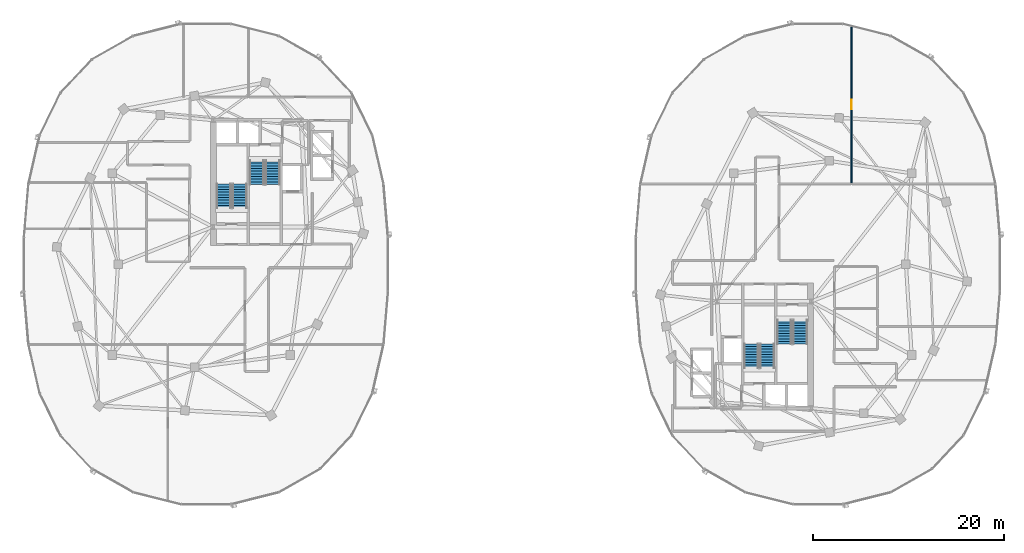
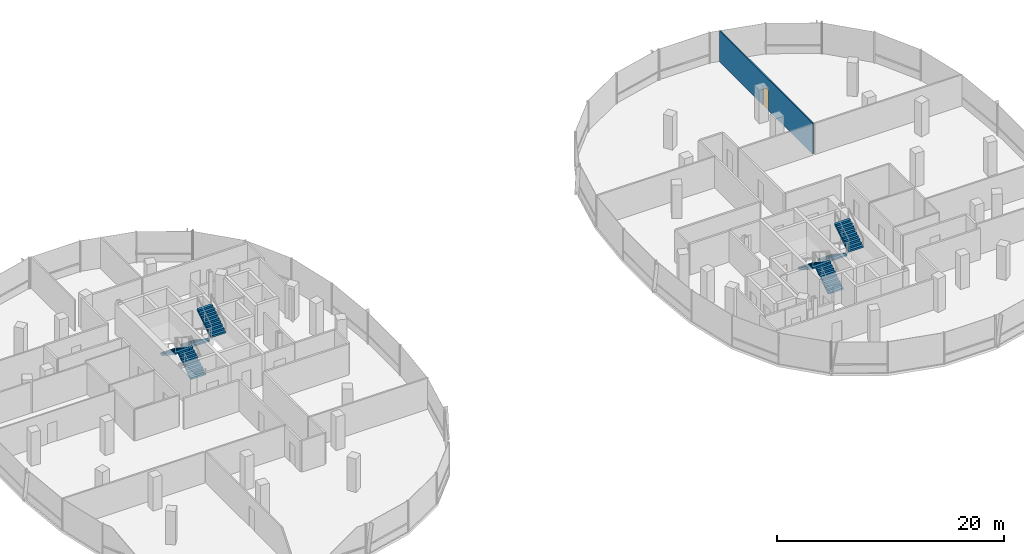
# One storey, part 18 of 25: 8 stair flights, 1 door, 1 wall, 1 opening, 4 elements without a shape of their own.
"""IFC4 building model written with IfcOpenShell, lengths in metres."""

from ifc_helpers import new_model, si_unit, direction, frame, frame_2d, origin, place, context, subcontext, project, spatial, polyline, rectangle, outline, extrude, material, layer, layer_set, type_object, element, fill, aggregate, save


model = new_model("IFC4")

# Units and contexts
model_context = context("Model", 3, precision=1e-05, world=origin(), true_north=direction((0.0, 1.0)))
body_context = subcontext(model_context, "Body", "Model", "MODEL_VIEW")
ifc_project = project(units=[si_unit("LENGTHUNIT", "METRE"), si_unit("AREAUNIT", "SQUARE_METRE"), si_unit("VOLUMEUNIT", "CUBIC_METRE"), si_unit("PLANEANGLEUNIT", "RADIAN"), si_unit("MASSUNIT", "GRAM", prefix="KILO"), si_unit("THERMODYNAMICTEMPERATUREUNIT", "KELVIN"), si_unit("POWERUNIT", "WATT")], contexts=[model_context])

# Site, building, storey
site_placement = place(None, origin())
site = spatial("IfcSite", under=ifc_project, at=site_placement, CompositionType="ELEMENT")
building_placement = place(site_placement, origin())
building = spatial("IfcBuilding", under=site, at=building_placement, Name="Cundina Bronze Exchange", CompositionType="ELEMENT")
storey_placement = place(building_placement, frame((0.0, 0.0, 202.60009765625)))
storey = spatial("IfcBuildingStorey", under=building, at=storey_placement, Name="L53", CompositionType="ELEMENT", Elevation=202.60009765625)

# Wall, opening, door
ifc_material_1 = material(Name="Gypsum Acoustic Partition EI60")
ifc_layer = layer(ifc_material_1, 0.125, Name="Gypsum Acoustic Partition EI60")
ifc_layer_set = layer_set([ifc_layer], Name="Gypsum Acoustic Partition EI60")
wall_type = type_object("IfcWallType", Name="WL-OFF-125", PredefinedType="PARTITIONING", material=ifc_layer_set)
wall_placement = place(storey_placement, frame((35.510009765625, 8.489990234375, 0.0), z_axis=(0.0, 0.0, 1.0), x_axis=(0.0, 1.0, 0.0)))
wall = element("IfcWall", 1, at=wall_placement, inside=storey, type_object=wall_type, Name="L53 Interior Partition 080", PredefinedType="PARTITIONING", context=body_context, shape_type="SweptSolid", body=[
    extrude(rectangle(XDim=16.3955078125, YDim=0.125, at=frame_2d((8.19775390625, 0.0))), origin(), (0.0, 0.0, 1.0), 3.33984375),
])
opening_placement = place(wall_placement, frame((7.69775390625, 0.0, 0.0)))
opening = element("IfcOpeningElement", 2, at=opening_placement, cuts=wall, Name="Opening DO-01", PredefinedType="OPENING", context=body_context, shape_type="SweptSolid", body=[
    extrude(rectangle(XDim=1.0, YDim=2.14990234375, at=frame_2d((0.5, 1.074951171875))), frame((0.0, 0.072509765625, 0.0), z_axis=(0.0, -1.0, 0.0), x_axis=(1.0, 0.0, 0.0)), (0.0, 0.0, 1.0), 0.14501953125),
])
ifc_material_2 = material(Name="Solid Andean Oak Timber Grade A", Category="wood")
door_type = type_object("IfcDoorType", Name="DR-OFF-1000", OperationType="NOTDEFINED", PredefinedType="DOOR", material=ifc_material_2)
door_placement = place(opening_placement, origin())
door = element("IfcDoor", 3, at=door_placement, inside=storey, type_object=door_type, Name="L53 Interior Door 080", OperationType="SINGLE_SWING_RIGHT", OverallHeight=2.14990234375, OverallWidth=1.0, PredefinedType="DOOR", context=body_context, shape_type="SweptSolid", body=[
    extrude(rectangle(XDim=1.0, YDim=2.14990234375, at=frame_2d((0.5, 1.074951171875))), frame((0.0, 0.02490234375, 0.0), z_axis=(0.0, -1.0, 0.0), x_axis=(1.0, 0.0, 0.0)), (0.0, 0.0, 1.0), 0.050048828125),
])
fill(opening, door)

# Stair, stair flights
ifc_material_3 = material(Name="Concrete C40/50", Category="concrete")
stair_type = type_object("IfcStairType", Name="STR-OFF-360", PredefinedType="HALF_TURN_STAIR", material=ifc_material_3)
stair_1_placement = place(storey_placement, origin())
stair_1 = element("IfcStair", 4, at=stair_1_placement, inside=storey, type_object=stair_type, Name="L53 Smokeproof Exit Stair W1", PredefinedType="HALF_TURN_STAIR")
stair_flight_type = type_object("IfcStairFlightType", Name="FLG-OFF-180", PredefinedType="STRAIGHT", material=ifc_material_3)
stair_flight_1_placement = place(storey_placement, frame((-28.489990234375, 5.85009765625, 0.0), z_axis=(0.0, 0.0, 1.0), x_axis=(0.0, 1.0, 0.0)))
stair_flight_1 = element("IfcStairFlight", 5, at=stair_flight_1_placement, type_object=stair_flight_type, Name="ST-W1 flight 1", NumberOfRisers=10, NumberOfTreads=9, PredefinedType="STRAIGHT", RiserHeight=0.18, TreadLength=0.28, context=body_context, shape_type="SweptSolid", body=[
    extrude(outline(polyline([(0.0, 0.0), (0.0, 0.179931640625), (0.280029296875, 0.179931640625), (0.280029296875, 0.360107421875), (0.56005859375, 0.360107421875), (0.56005859375, 0.5400390625), (0.840087890625, 0.5400390625), (0.840087890625, 0.719970703125), (1.1201171875, 0.719970703125), (1.1201171875, 0.89990234375), (1.39990234375, 0.89990234375), (1.39990234375, 1.080078125), (1.679931640625, 1.080078125), (1.679931640625, 1.260009765625), (1.9599609375, 1.260009765625), (1.9599609375, 1.43994140625), (2.239990234375, 1.43994140625), (2.239990234375, 1.6201171875), (2.52001953125, 1.6201171875), (2.52001953125, 1.800048828125), (2.52001953125, 1.44189453125), (0.277099609375, 0.0), (0.0, 0.0)])), frame((0.0, 0.75, 0.0), z_axis=(0.0, -1.0, 0.0), x_axis=(1.0, 0.0, 0.0)), (0.0, 0.0, 1.0), 1.5),
])
stair_flight_2_placement = place(storey_placement, frame((-30.14990234375, 8.3701171875, 1.7998046875), z_axis=(0.0, 0.0, 1.0), x_axis=(0.0, -1.0, 0.0)))
stair_flight_2 = element("IfcStairFlight", 6, at=stair_flight_2_placement, type_object=stair_flight_type, Name="ST-W1 flight 2", NumberOfRisers=10, NumberOfTreads=9, PredefinedType="STRAIGHT", RiserHeight=0.18, TreadLength=0.28, context=body_context, shape_type="SweptSolid", body=[
    extrude(outline(polyline([(0.0, 0.0), (0.0, 0.179931640625), (0.280029296875, 0.179931640625), (0.280029296875, 0.360107421875), (0.56005859375, 0.360107421875), (0.56005859375, 0.5400390625), (0.840087890625, 0.5400390625), (0.840087890625, 0.719970703125), (1.1201171875, 0.719970703125), (1.1201171875, 0.89990234375), (1.39990234375, 0.89990234375), (1.39990234375, 1.080078125), (1.679931640625, 1.080078125), (1.679931640625, 1.260009765625), (1.9599609375, 1.260009765625), (1.9599609375, 1.43994140625), (2.239990234375, 1.43994140625), (2.239990234375, 1.6201171875), (2.52001953125, 1.6201171875), (2.52001953125, 1.800048828125), (2.52001953125, 1.44189453125), (0.277099609375, 0.0), (0.0, 0.0)])), frame((0.0, 0.75, 0.0), z_axis=(0.0, -1.0, 0.0), x_axis=(1.0, 0.0, 0.0)), (0.0, 0.0, 1.0), 1.5),
])
aggregate(stair_1, [stair_flight_1, stair_flight_2])

stair_2_placement = place(storey_placement, origin())
stair_2 = element("IfcStair", 7, at=stair_2_placement, inside=storey, type_object=stair_type, Name="L53 Smokeproof Exit Stair W2", PredefinedType="HALF_TURN_STAIR")
stair_flight_3_placement = place(storey_placement, frame((-26.68994140625, 10.85009765625, 0.0), z_axis=(0.0, 0.0, 1.0), x_axis=(0.0, -1.0, 0.0)))
stair_flight_3 = element("IfcStairFlight", 8, at=stair_flight_3_placement, type_object=stair_flight_type, Name="ST-W2 flight 1", NumberOfRisers=10, NumberOfTreads=9, PredefinedType="STRAIGHT", RiserHeight=0.18, TreadLength=0.28, context=body_context, shape_type="SweptSolid", body=[
    extrude(outline(polyline([(0.0, 0.0), (0.0, 0.179931640625), (0.280029296875, 0.179931640625), (0.280029296875, 0.360107421875), (0.56005859375, 0.360107421875), (0.56005859375, 0.5400390625), (0.840087890625, 0.5400390625), (0.840087890625, 0.719970703125), (1.1201171875, 0.719970703125), (1.1201171875, 0.89990234375), (1.39990234375, 0.89990234375), (1.39990234375, 1.080078125), (1.679931640625, 1.080078125), (1.679931640625, 1.260009765625), (1.9599609375, 1.260009765625), (1.9599609375, 1.43994140625), (2.239990234375, 1.43994140625), (2.239990234375, 1.6201171875), (2.52001953125, 1.6201171875), (2.52001953125, 1.800048828125), (2.52001953125, 1.44189453125), (0.277099609375, 0.0), (0.0, 0.0)])), frame((0.0, 0.75, 0.0), z_axis=(0.0, -1.0, 0.0), x_axis=(1.0, 0.0, 0.0)), (0.0, 0.0, 1.0), 1.5),
])
stair_flight_4_placement = place(storey_placement, frame((-25.030029296875, 8.330078125, 1.7998046875), z_axis=(0.0, 0.0, 1.0), x_axis=(0.0, 1.0, 0.0)))
stair_flight_4 = element("IfcStairFlight", 9, at=stair_flight_4_placement, type_object=stair_flight_type, Name="ST-W2 flight 2", NumberOfRisers=10, NumberOfTreads=9, PredefinedType="STRAIGHT", RiserHeight=0.18, TreadLength=0.28, context=body_context, shape_type="SweptSolid", body=[
    extrude(outline(polyline([(0.0, 0.0), (0.0, 0.179931640625), (0.280029296875, 0.179931640625), (0.280029296875, 0.360107421875), (0.56005859375, 0.360107421875), (0.56005859375, 0.5400390625), (0.840087890625, 0.5400390625), (0.840087890625, 0.719970703125), (1.1201171875, 0.719970703125), (1.1201171875, 0.89990234375), (1.39990234375, 0.89990234375), (1.39990234375, 1.080078125), (1.679931640625, 1.080078125), (1.679931640625, 1.260009765625), (1.9599609375, 1.260009765625), (1.9599609375, 1.43994140625), (2.239990234375, 1.43994140625), (2.239990234375, 1.6201171875), (2.52001953125, 1.6201171875), (2.52001953125, 1.800048828125), (2.52001953125, 1.44189453125), (0.277099609375, 0.0), (0.0, 0.0)])), frame((0.0, 0.75, 0.0), z_axis=(0.0, -1.0, 0.0), x_axis=(1.0, 0.0, 0.0)), (0.0, 0.0, 1.0), 1.5),
])
aggregate(stair_2, [stair_flight_3, stair_flight_4])

stair_3_placement = place(storey_placement, origin())
stair_3 = element("IfcStair", 10, at=stair_3_placement, inside=storey, type_object=stair_type, Name="L53 Smokeproof Exit Stair E1", PredefinedType="HALF_TURN_STAIR")
stair_flight_5_placement = place(storey_placement, frame((28.489990234375, -5.85009765625, 0.0), z_axis=(0.0, 0.0, 1.0), x_axis=(0.0, -1.0, 0.0)))
stair_flight_5 = element("IfcStairFlight", 11, at=stair_flight_5_placement, type_object=stair_flight_type, Name="ST-E1 flight 1", NumberOfRisers=10, NumberOfTreads=9, PredefinedType="STRAIGHT", RiserHeight=0.18, TreadLength=0.28, context=body_context, shape_type="SweptSolid", body=[
    extrude(outline(polyline([(0.0, 0.0), (0.0, 0.179931640625), (0.280029296875, 0.179931640625), (0.280029296875, 0.360107421875), (0.56005859375, 0.360107421875), (0.56005859375, 0.5400390625), (0.840087890625, 0.5400390625), (0.840087890625, 0.719970703125), (1.1201171875, 0.719970703125), (1.1201171875, 0.89990234375), (1.39990234375, 0.89990234375), (1.39990234375, 1.080078125), (1.679931640625, 1.080078125), (1.679931640625, 1.260009765625), (1.9599609375, 1.260009765625), (1.9599609375, 1.43994140625), (2.239990234375, 1.43994140625), (2.239990234375, 1.6201171875), (2.52001953125, 1.6201171875), (2.52001953125, 1.800048828125), (2.52001953125, 1.44189453125), (0.277099609375, 0.0), (0.0, 0.0)])), frame((0.0, 0.75, 0.0), z_axis=(0.0, -1.0, 0.0), x_axis=(1.0, 0.0, 0.0)), (0.0, 0.0, 1.0), 1.5),
])
stair_flight_6_placement = place(storey_placement, frame((30.14990234375, -8.3701171875, 1.7998046875), z_axis=(0.0, 0.0, 1.0), x_axis=(0.0, 1.0, 0.0)))
stair_flight_6 = element("IfcStairFlight", 12, at=stair_flight_6_placement, type_object=stair_flight_type, Name="ST-E1 flight 2", NumberOfRisers=10, NumberOfTreads=9, PredefinedType="STRAIGHT", RiserHeight=0.18, TreadLength=0.28, context=body_context, shape_type="SweptSolid", body=[
    extrude(outline(polyline([(0.0, 0.0), (0.0, 0.179931640625), (0.280029296875, 0.179931640625), (0.280029296875, 0.360107421875), (0.56005859375, 0.360107421875), (0.56005859375, 0.5400390625), (0.840087890625, 0.5400390625), (0.840087890625, 0.719970703125), (1.1201171875, 0.719970703125), (1.1201171875, 0.89990234375), (1.39990234375, 0.89990234375), (1.39990234375, 1.080078125), (1.679931640625, 1.080078125), (1.679931640625, 1.260009765625), (1.9599609375, 1.260009765625), (1.9599609375, 1.43994140625), (2.239990234375, 1.43994140625), (2.239990234375, 1.6201171875), (2.52001953125, 1.6201171875), (2.52001953125, 1.800048828125), (2.52001953125, 1.44189453125), (0.277099609375, 0.0), (0.0, 0.0)])), frame((0.0, 0.75, 0.0), z_axis=(0.0, -1.0, 0.0), x_axis=(1.0, 0.0, 0.0)), (0.0, 0.0, 1.0), 1.5),
])
aggregate(stair_3, [stair_flight_5, stair_flight_6])

stair_4_placement = place(storey_placement, origin())
stair_4 = element("IfcStair", 13, at=stair_4_placement, inside=storey, type_object=stair_type, Name="L53 Smokeproof Exit Stair E2", PredefinedType="HALF_TURN_STAIR")
stair_flight_7_placement = place(storey_placement, frame((26.68994140625, -10.85009765625, 0.0), z_axis=(0.0, 0.0, 1.0), x_axis=(0.0, 1.0, 0.0)))
stair_flight_7 = element("IfcStairFlight", 14, at=stair_flight_7_placement, type_object=stair_flight_type, Name="ST-E2 flight 1", NumberOfRisers=10, NumberOfTreads=9, PredefinedType="STRAIGHT", RiserHeight=0.18, TreadLength=0.28, context=body_context, shape_type="SweptSolid", body=[
    extrude(outline(polyline([(0.0, 0.0), (0.0, 0.179931640625), (0.280029296875, 0.179931640625), (0.280029296875, 0.360107421875), (0.56005859375, 0.360107421875), (0.56005859375, 0.5400390625), (0.840087890625, 0.5400390625), (0.840087890625, 0.719970703125), (1.1201171875, 0.719970703125), (1.1201171875, 0.89990234375), (1.39990234375, 0.89990234375), (1.39990234375, 1.080078125), (1.679931640625, 1.080078125), (1.679931640625, 1.260009765625), (1.9599609375, 1.260009765625), (1.9599609375, 1.43994140625), (2.239990234375, 1.43994140625), (2.239990234375, 1.6201171875), (2.52001953125, 1.6201171875), (2.52001953125, 1.800048828125), (2.52001953125, 1.44189453125), (0.277099609375, 0.0), (0.0, 0.0)])), frame((0.0, 0.75, 0.0), z_axis=(0.0, -1.0, 0.0), x_axis=(1.0, 0.0, 0.0)), (0.0, 0.0, 1.0), 1.5),
])
stair_flight_8_placement = place(storey_placement, frame((25.030029296875, -8.330078125, 1.7998046875), z_axis=(0.0, 0.0, 1.0), x_axis=(0.0, -1.0, 0.0)))
stair_flight_8 = element("IfcStairFlight", 15, at=stair_flight_8_placement, type_object=stair_flight_type, Name="ST-E2 flight 2", NumberOfRisers=10, NumberOfTreads=9, PredefinedType="STRAIGHT", RiserHeight=0.18, TreadLength=0.28, context=body_context, shape_type="SweptSolid", body=[
    extrude(outline(polyline([(0.0, 0.0), (0.0, 0.179931640625), (0.280029296875, 0.179931640625), (0.280029296875, 0.360107421875), (0.56005859375, 0.360107421875), (0.56005859375, 0.5400390625), (0.840087890625, 0.5400390625), (0.840087890625, 0.719970703125), (1.1201171875, 0.719970703125), (1.1201171875, 0.89990234375), (1.39990234375, 0.89990234375), (1.39990234375, 1.080078125), (1.679931640625, 1.080078125), (1.679931640625, 1.260009765625), (1.9599609375, 1.260009765625), (1.9599609375, 1.43994140625), (2.239990234375, 1.43994140625), (2.239990234375, 1.6201171875), (2.52001953125, 1.6201171875), (2.52001953125, 1.800048828125), (2.52001953125, 1.44189453125), (0.277099609375, 0.0), (0.0, 0.0)])), frame((0.0, 0.75, 0.0), z_axis=(0.0, -1.0, 0.0), x_axis=(1.0, 0.0, 0.0)), (0.0, 0.0, 1.0), 1.5),
])
aggregate(stair_4, [stair_flight_7, stair_flight_8])

save(model, "model.ifc")
